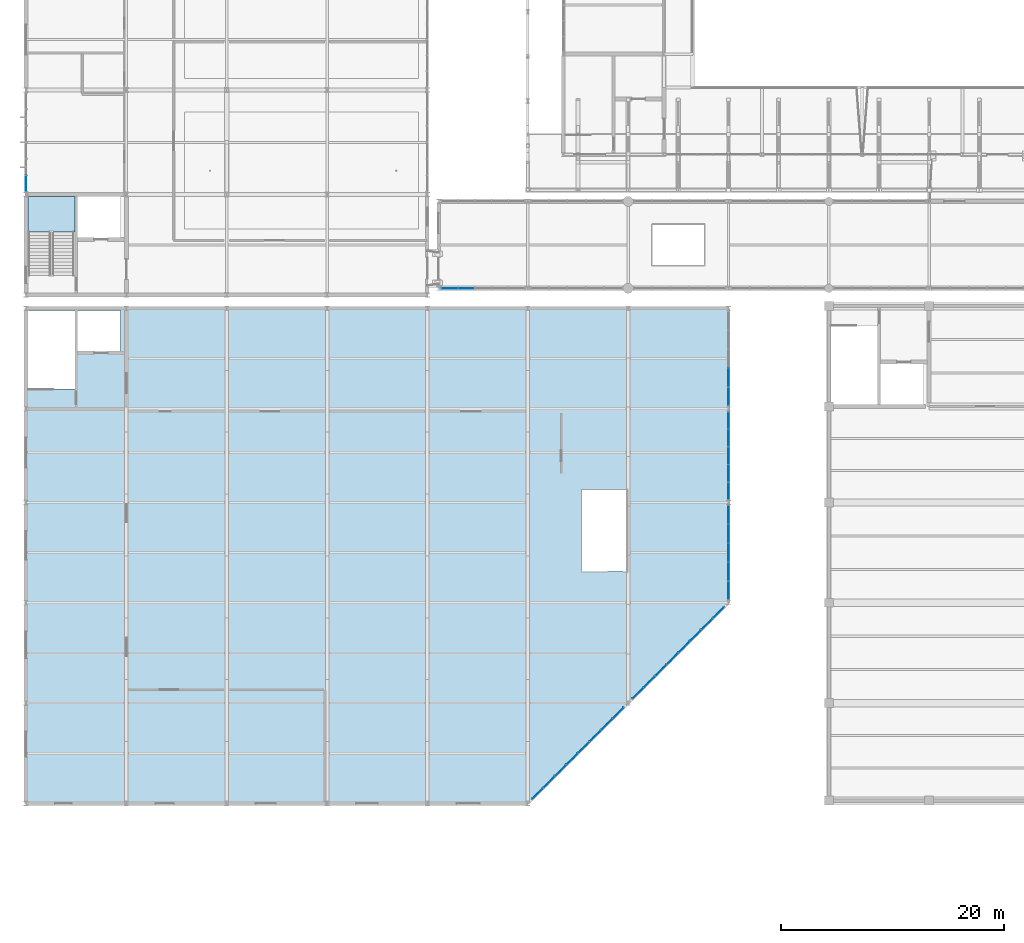
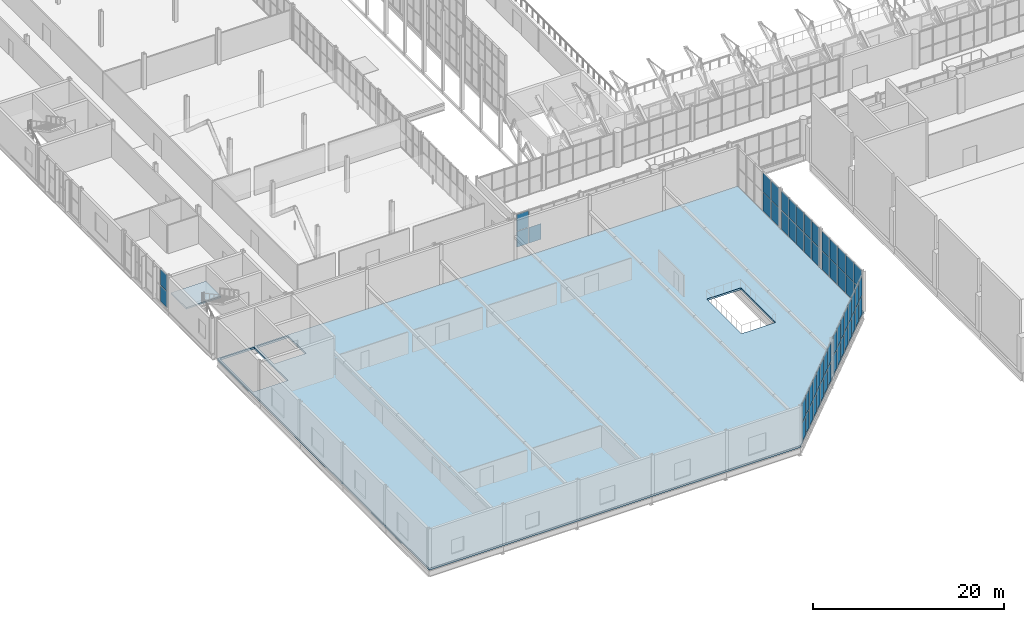
# One storey, part 90 of 134: 61 plates, 2 slabs, 8 elements without a shape of their own.
"""IFC4 building model written with IfcOpenShell, lengths in metres."""

from ifc_helpers import new_model, si_unit, direction, frame, origin, origin_2d, place, context, subcontext, project, spatial, polyline, rectangle, outline, extrude, material, layer, layer_set, type_object, element, aggregate, save


model = new_model("IFC4")

# Units and contexts
model_context = context("Model", 3, precision=1e-05, world=origin(), true_north=direction((0.0, 1.0)))
body_context = subcontext(model_context, "Body", "Model", "MODEL_VIEW")
ifc_project = project(units=[si_unit("LENGTHUNIT", "METRE"), si_unit("AREAUNIT", "SQUARE_METRE"), si_unit("VOLUMEUNIT", "CUBIC_METRE"), si_unit("PLANEANGLEUNIT", "RADIAN"), si_unit("MASSUNIT", "GRAM", prefix="KILO")], contexts=[model_context])

# Site, building, storey
site_placement = place(None, origin())
site = spatial("IfcSite", under=ifc_project, at=site_placement, CompositionType="ELEMENT")
building_placement = place(site_placement, origin())
building = spatial("IfcBuilding", under=site, at=building_placement, Name="Cazmaro Siding Exhibition Halls", CompositionType="ELEMENT")
storey_placement = place(building_placement, frame((0.0, 0.0, 12.0)))
storey = spatial("IfcBuildingStorey", under=building, at=storey_placement, Name="L02", CompositionType="ELEMENT", Elevation=12.0)

# Curtain wall, plates
ifc_material_1 = material(Name="Anodized Bronze Aluminum and Solar-Control Low-E Glazing", Category="aluminium")
ifc_layer_1 = layer(ifc_material_1, 0.199951171875)
ifc_layer_set_1 = layer_set([ifc_layer_1], Name="Anodized Bronze Aluminum and Solar-Control Low-E Glazing")
curtain_wall_type_1 = type_object("IfcCurtainWallType", Name="CWS-02", PredefinedType="USERDEFINED", material=ifc_layer_set_1)
curtain_wall_1_placement = place(storey_placement, origin())
curtain_wall_1 = element("IfcCurtainWall", 1, at=curtain_wall_1_placement, inside=storey, type_object=curtain_wall_type_1, Name="Glazed Curtain Wall CWS-02 CW-142", ObjectType="GLAZED CURTAIN WALL", PredefinedType="USERDEFINED")
ifc_material_2 = material(Name="Solar-Control Low-E Double Insulating Glass", Category="glass")
ifc_layer_2 = layer(ifc_material_2, 0.035888671875)
ifc_layer_set_2 = layer_set([ifc_layer_2], Name="Solar-Control Low-E Double Insulating Glass")
plate_type_1 = type_object("IfcPlateType", Name="CWP-02", PredefinedType="CURTAIN_PANEL", material=ifc_layer_set_2)
plate_1_placement = place(storey_placement, frame((38.000244140625, 55.199951171875, 0.06494140625), z_axis=(0.0, 0.0, 1.0), x_axis=(1.0, 0.0, 0.0)))
plate_1 = element("IfcPlate", 2, at=plate_1_placement, type_object=plate_type_1, Name="CWS-02 panel 1.1", PredefinedType="CURTAIN_PANEL", context=body_context, shape_type="SweptSolid", body=[
    extrude(rectangle(XDim=1.410400390625, YDim=0.035888671875, at=origin_2d()), origin(), (0.0, 0.0, 1.0), 2.00244140625),
])
plate_2_placement = place(storey_placement, frame((38.000244140625, 55.199951171875, 2.132568359375), z_axis=(0.0, 0.0, 1.0), x_axis=(1.0, 0.0, 0.0)))
plate_2 = element("IfcPlate", 3, at=plate_2_placement, type_object=plate_type_1, Name="CWS-02 panel 1.2", PredefinedType="CURTAIN_PANEL", context=body_context, shape_type="SweptSolid", body=[
    extrude(rectangle(XDim=1.410400390625, YDim=0.035888671875, at=origin_2d()), origin(), (0.0, 0.0, 1.0), 2.12744140625),
])
plate_3_placement = place(storey_placement, frame((39.491943359375, 55.199951171875, 0.06494140625), z_axis=(0.0, 0.0, 1.0), x_axis=(1.0, 0.0, 0.0)))
plate_3 = element("IfcPlate", 4, at=plate_3_placement, type_object=plate_type_1, Name="CWS-02 panel 2.1", PredefinedType="CURTAIN_PANEL", context=body_context, shape_type="SweptSolid", body=[
    extrude(rectangle(XDim=1.443115234375, YDim=0.035888671875, at=origin_2d()), origin(), (0.0, 0.0, 1.0), 2.00244140625),
])
aggregate(curtain_wall_1, [plate_1, plate_2, plate_3])

curtain_wall_2_placement = place(storey_placement, origin())
curtain_wall_2 = element("IfcCurtainWall", 5, at=curtain_wall_2_placement, inside=storey, type_object=curtain_wall_type_1, Name="Glazed Curtain Wall CWS-02 CW-218", ObjectType="GLAZED CURTAIN WALL", PredefinedType="USERDEFINED")
plate_4_placement = place(storey_placement, frame((63.0, 28.10107421875, 0.06494140625), z_axis=(0.0, 0.0, 1.0), x_axis=(0.0, 1.0, 0.0)))
plate_4 = element("IfcPlate", 6, at=plate_4_placement, type_object=plate_type_1, Name="CWS-02 panel 1.1", PredefinedType="CURTAIN_PANEL", context=body_context, shape_type="SweptSolid", body=[
    extrude(rectangle(XDim=1.610107421875, YDim=0.035888671875, at=origin_2d()), origin(), (0.0, 0.0, 1.0), 2.402587890625),
])
plate_5_placement = place(storey_placement, frame((63.0, 28.10107421875, 2.53271484375), z_axis=(0.0, 0.0, 1.0), x_axis=(0.0, 1.0, 0.0)))
plate_5 = element("IfcPlate", 7, at=plate_5_placement, type_object=plate_type_1, Name="CWS-02 panel 1.2", PredefinedType="CURTAIN_PANEL", context=body_context, shape_type="SweptSolid", body=[
    extrude(rectangle(XDim=1.610107421875, YDim=0.035888671875, at=origin_2d()), origin(), (0.0, 0.0, 1.0), 2.452392578125),
])
plate_6_placement = place(storey_placement, frame((63.0, 29.79248046875, 0.06494140625), z_axis=(0.0, 0.0, 1.0), x_axis=(0.0, 1.0, 0.0)))
plate_6 = element("IfcPlate", 8, at=plate_6_placement, type_object=plate_type_1, Name="CWS-02 panel 2.1", PredefinedType="CURTAIN_PANEL", context=body_context, shape_type="SweptSolid", body=[
    extrude(rectangle(XDim=1.642578125, YDim=0.035888671875, at=origin_2d()), origin(), (0.0, 0.0, 1.0), 2.402587890625),
])
plate_7_placement = place(storey_placement, frame((63.0, 29.79248046875, 2.53271484375), z_axis=(0.0, 0.0, 1.0), x_axis=(0.0, 1.0, 0.0)))
plate_7 = element("IfcPlate", 9, at=plate_7_placement, type_object=plate_type_1, Name="CWS-02 panel 2.2", PredefinedType="CURTAIN_PANEL", context=body_context, shape_type="SweptSolid", body=[
    extrude(rectangle(XDim=1.642578125, YDim=0.035888671875, at=origin_2d()), origin(), (0.0, 0.0, 1.0), 2.452392578125),
])
plate_8_placement = place(storey_placement, frame((63.0, 31.5, 0.06494140625), z_axis=(0.0, 0.0, 1.0), x_axis=(0.0, 1.0, 0.0)))
plate_8 = element("IfcPlate", 10, at=plate_8_placement, type_object=plate_type_1, Name="CWS-02 panel 3.1", PredefinedType="CURTAIN_PANEL", context=body_context, shape_type="SweptSolid", body=[
    extrude(rectangle(XDim=1.642578125, YDim=0.035888671875, at=origin_2d()), origin(), (0.0, 0.0, 1.0), 2.402587890625),
])
plate_9_placement = place(storey_placement, frame((63.0, 31.5, 2.53271484375), z_axis=(0.0, 0.0, 1.0), x_axis=(0.0, 1.0, 0.0)))
plate_9 = element("IfcPlate", 11, at=plate_9_placement, type_object=plate_type_1, Name="CWS-02 panel 3.2", PredefinedType="CURTAIN_PANEL", context=body_context, shape_type="SweptSolid", body=[
    extrude(rectangle(XDim=1.642578125, YDim=0.035888671875, at=origin_2d()), origin(), (0.0, 0.0, 1.0), 2.452392578125),
])
plate_10_placement = place(storey_placement, frame((63.0, 33.20751953125, 0.06494140625), z_axis=(0.0, 0.0, 1.0), x_axis=(0.0, 1.0, 0.0)))
plate_10 = element("IfcPlate", 12, at=plate_10_placement, type_object=plate_type_1, Name="CWS-02 panel 4.1", PredefinedType="CURTAIN_PANEL", context=body_context, shape_type="SweptSolid", body=[
    extrude(rectangle(XDim=1.642578125, YDim=0.035888671875, at=origin_2d()), origin(), (0.0, 0.0, 1.0), 2.402587890625),
])
plate_11_placement = place(storey_placement, frame((63.0, 33.20751953125, 2.53271484375), z_axis=(0.0, 0.0, 1.0), x_axis=(0.0, 1.0, 0.0)))
plate_11 = element("IfcPlate", 13, at=plate_11_placement, type_object=plate_type_1, Name="CWS-02 panel 4.2", PredefinedType="CURTAIN_PANEL", context=body_context, shape_type="SweptSolid", body=[
    extrude(rectangle(XDim=1.642578125, YDim=0.035888671875, at=origin_2d()), origin(), (0.0, 0.0, 1.0), 2.452392578125),
])
plate_12_placement = place(storey_placement, frame((63.0, 34.89892578125, 0.06494140625), z_axis=(0.0, 0.0, 1.0), x_axis=(0.0, 1.0, 0.0)))
plate_12 = element("IfcPlate", 14, at=plate_12_placement, type_object=plate_type_1, Name="CWS-02 panel 5.1", PredefinedType="CURTAIN_PANEL", context=body_context, shape_type="SweptSolid", body=[
    extrude(rectangle(XDim=1.610107421875, YDim=0.035888671875, at=origin_2d()), origin(), (0.0, 0.0, 1.0), 2.402587890625),
])
plate_13_placement = place(storey_placement, frame((63.0, 34.89892578125, 2.53271484375), z_axis=(0.0, 0.0, 1.0), x_axis=(0.0, 1.0, 0.0)))
plate_13 = element("IfcPlate", 15, at=plate_13_placement, type_object=plate_type_1, Name="CWS-02 panel 5.2", PredefinedType="CURTAIN_PANEL", context=body_context, shape_type="SweptSolid", body=[
    extrude(rectangle(XDim=1.610107421875, YDim=0.035888671875, at=origin_2d()), origin(), (0.0, 0.0, 1.0), 2.452392578125),
])
aggregate(curtain_wall_2, [plate_4, plate_5, plate_6, plate_7, plate_8, plate_9, plate_10, plate_11, plate_12, plate_13])

curtain_wall_3_placement = place(storey_placement, origin())
curtain_wall_3 = element("IfcCurtainWall", 16, at=curtain_wall_3_placement, inside=storey, type_object=curtain_wall_type_1, Name="Glazed Curtain Wall CWS-02 CW-220", ObjectType="GLAZED CURTAIN WALL", PredefinedType="USERDEFINED")
plate_14_placement = place(storey_placement, frame((63.0, 37.041015625, 0.06494140625), z_axis=(0.0, 0.0, 1.0), x_axis=(0.0, 1.0, 0.0)))
plate_14 = element("IfcPlate", 17, at=plate_14_placement, type_object=plate_type_1, Name="CWS-02 panel 1.1", PredefinedType="CURTAIN_PANEL", context=body_context, shape_type="SweptSolid", body=[
    extrude(rectangle(XDim=1.489990234375, YDim=0.035888671875, at=origin_2d()), origin(), (0.0, 0.0, 1.0), 2.402587890625),
])
plate_15_placement = place(storey_placement, frame((63.0, 37.041015625, 2.53271484375), z_axis=(0.0, 0.0, 1.0), x_axis=(0.0, 1.0, 0.0)))
plate_15 = element("IfcPlate", 18, at=plate_15_placement, type_object=plate_type_1, Name="CWS-02 panel 1.2", PredefinedType="CURTAIN_PANEL", context=body_context, shape_type="SweptSolid", body=[
    extrude(rectangle(XDim=1.489990234375, YDim=0.035888671875, at=origin_2d()), origin(), (0.0, 0.0, 1.0), 2.452392578125),
])
plate_16_placement = place(storey_placement, frame((63.0, 38.6123046875, 0.06494140625), z_axis=(0.0, 0.0, 1.0), x_axis=(0.0, 1.0, 0.0)))
plate_16 = element("IfcPlate", 19, at=plate_16_placement, type_object=plate_type_1, Name="CWS-02 panel 2.1", PredefinedType="CURTAIN_PANEL", context=body_context, shape_type="SweptSolid", body=[
    extrude(rectangle(XDim=1.522705078125, YDim=0.035888671875, at=origin_2d()), origin(), (0.0, 0.0, 1.0), 2.402587890625),
])
plate_17_placement = place(storey_placement, frame((63.0, 38.6123046875, 2.53271484375), z_axis=(0.0, 0.0, 1.0), x_axis=(0.0, 1.0, 0.0)))
plate_17 = element("IfcPlate", 20, at=plate_17_placement, type_object=plate_type_1, Name="CWS-02 panel 2.2", PredefinedType="CURTAIN_PANEL", context=body_context, shape_type="SweptSolid", body=[
    extrude(rectangle(XDim=1.522705078125, YDim=0.035888671875, at=origin_2d()), origin(), (0.0, 0.0, 1.0), 2.452392578125),
])
plate_18_placement = place(storey_placement, frame((63.0, 40.199951171875, 0.06494140625), z_axis=(0.0, 0.0, 1.0), x_axis=(0.0, 1.0, 0.0)))
plate_18 = element("IfcPlate", 21, at=plate_18_placement, type_object=plate_type_1, Name="CWS-02 panel 3.1", PredefinedType="CURTAIN_PANEL", context=body_context, shape_type="SweptSolid", body=[
    extrude(rectangle(XDim=1.522705078125, YDim=0.035888671875, at=origin_2d()), origin(), (0.0, 0.0, 1.0), 2.402587890625),
])
plate_19_placement = place(storey_placement, frame((63.0, 40.199951171875, 2.53271484375), z_axis=(0.0, 0.0, 1.0), x_axis=(0.0, 1.0, 0.0)))
plate_19 = element("IfcPlate", 22, at=plate_19_placement, type_object=plate_type_1, Name="CWS-02 panel 3.2", PredefinedType="CURTAIN_PANEL", context=body_context, shape_type="SweptSolid", body=[
    extrude(rectangle(XDim=1.522705078125, YDim=0.035888671875, at=origin_2d()), origin(), (0.0, 0.0, 1.0), 2.452392578125),
])
plate_20_placement = place(storey_placement, frame((63.0, 41.78759765625, 0.06494140625), z_axis=(0.0, 0.0, 1.0), x_axis=(0.0, 1.0, 0.0)))
plate_20 = element("IfcPlate", 23, at=plate_20_placement, type_object=plate_type_1, Name="CWS-02 panel 4.1", PredefinedType="CURTAIN_PANEL", context=body_context, shape_type="SweptSolid", body=[
    extrude(rectangle(XDim=1.522705078125, YDim=0.035888671875, at=origin_2d()), origin(), (0.0, 0.0, 1.0), 2.402587890625),
])
plate_21_placement = place(storey_placement, frame((63.0, 41.78759765625, 2.53271484375), z_axis=(0.0, 0.0, 1.0), x_axis=(0.0, 1.0, 0.0)))
plate_21 = element("IfcPlate", 24, at=plate_21_placement, type_object=plate_type_1, Name="CWS-02 panel 4.2", PredefinedType="CURTAIN_PANEL", context=body_context, shape_type="SweptSolid", body=[
    extrude(rectangle(XDim=1.522705078125, YDim=0.035888671875, at=origin_2d()), origin(), (0.0, 0.0, 1.0), 2.452392578125),
])
plate_22_placement = place(storey_placement, frame((63.0, 43.35888671875, 0.06494140625), z_axis=(0.0, 0.0, 1.0), x_axis=(0.0, 1.0, 0.0)))
plate_22 = element("IfcPlate", 25, at=plate_22_placement, type_object=plate_type_1, Name="CWS-02 panel 5.1", PredefinedType="CURTAIN_PANEL", context=body_context, shape_type="SweptSolid", body=[
    extrude(rectangle(XDim=1.489990234375, YDim=0.035888671875, at=origin_2d()), origin(), (0.0, 0.0, 1.0), 2.402587890625),
])
plate_23_placement = place(storey_placement, frame((63.0, 43.35888671875, 2.53271484375), z_axis=(0.0, 0.0, 1.0), x_axis=(0.0, 1.0, 0.0)))
plate_23 = element("IfcPlate", 26, at=plate_23_placement, type_object=plate_type_1, Name="CWS-02 panel 5.2", PredefinedType="CURTAIN_PANEL", context=body_context, shape_type="SweptSolid", body=[
    extrude(rectangle(XDim=1.489990234375, YDim=0.035888671875, at=origin_2d()), origin(), (0.0, 0.0, 1.0), 2.452392578125),
])
aggregate(curtain_wall_3, [plate_14, plate_15, plate_16, plate_17, plate_18, plate_19, plate_20, plate_21, plate_22, plate_23])

curtain_wall_4_placement = place(storey_placement, origin())
curtain_wall_4 = element("IfcCurtainWall", 27, at=curtain_wall_4_placement, inside=storey, type_object=curtain_wall_type_1, Name="Glazed Curtain Wall CWS-02 CW-222", ObjectType="GLAZED CURTAIN WALL", PredefinedType="USERDEFINED")
plate_24_placement = place(storey_placement, frame((63.0, 45.5009765625, 0.06494140625), z_axis=(0.0, 0.0, 1.0), x_axis=(0.0, 1.0, 0.0)))
plate_24 = element("IfcPlate", 28, at=plate_24_placement, type_object=plate_type_1, Name="CWS-02 panel 1.1", PredefinedType="CURTAIN_PANEL", context=body_context, shape_type="SweptSolid", body=[
    extrude(rectangle(XDim=1.610107421875, YDim=0.035888671875, at=origin_2d()), origin(), (0.0, 0.0, 1.0), 2.402587890625),
])
plate_25_placement = place(storey_placement, frame((63.0, 45.5009765625, 2.53271484375), z_axis=(0.0, 0.0, 1.0), x_axis=(0.0, 1.0, 0.0)))
plate_25 = element("IfcPlate", 29, at=plate_25_placement, type_object=plate_type_1, Name="CWS-02 panel 1.2", PredefinedType="CURTAIN_PANEL", context=body_context, shape_type="SweptSolid", body=[
    extrude(rectangle(XDim=1.610107421875, YDim=0.035888671875, at=origin_2d()), origin(), (0.0, 0.0, 1.0), 2.452392578125),
])
plate_26_placement = place(storey_placement, frame((63.0, 47.1923828125, 0.06494140625), z_axis=(0.0, 0.0, 1.0), x_axis=(0.0, 1.0, 0.0)))
plate_26 = element("IfcPlate", 30, at=plate_26_placement, type_object=plate_type_1, Name="CWS-02 panel 2.1", PredefinedType="CURTAIN_PANEL", context=body_context, shape_type="SweptSolid", body=[
    extrude(rectangle(XDim=1.642578125, YDim=0.035888671875, at=origin_2d()), origin(), (0.0, 0.0, 1.0), 2.402587890625),
])
plate_27_placement = place(storey_placement, frame((63.0, 47.1923828125, 2.53271484375), z_axis=(0.0, 0.0, 1.0), x_axis=(0.0, 1.0, 0.0)))
plate_27 = element("IfcPlate", 31, at=plate_27_placement, type_object=plate_type_1, Name="CWS-02 panel 2.2", PredefinedType="CURTAIN_PANEL", context=body_context, shape_type="SweptSolid", body=[
    extrude(rectangle(XDim=1.642578125, YDim=0.035888671875, at=origin_2d()), origin(), (0.0, 0.0, 1.0), 2.452392578125),
])
aggregate(curtain_wall_4, [plate_24, plate_25, plate_26, plate_27])

curtain_wall_5_placement = place(storey_placement, origin())
curtain_wall_5 = element("IfcCurtainWall", 32, at=curtain_wall_5_placement, inside=storey, type_object=curtain_wall_type_1, Name="Glazed Curtain Wall CWS-02 CW-236", ObjectType="GLAZED CURTAIN WALL", PredefinedType="USERDEFINED")
plate_28_placement = place(storey_placement, frame((0.0, 64.603759765625, 0.06494140625), z_axis=(0.0, 0.0, 1.0), x_axis=(0.0, -1.0, 0.0)))
plate_28 = element("IfcPlate", 33, at=plate_28_placement, type_object=plate_type_1, Name="CWS-02 panel 6.1", PredefinedType="CURTAIN_PANEL", context=body_context, shape_type="SweptSolid", body=[
    extrude(rectangle(XDim=1.387451171875, YDim=0.035888671875, at=origin_2d()), origin(), (0.0, 0.0, 1.0), 2.04248046875),
])
plate_29_placement = place(storey_placement, frame((0.0, 64.603759765625, 2.172607421875), z_axis=(0.0, 0.0, 1.0), x_axis=(0.0, -1.0, 0.0)))
plate_29 = element("IfcPlate", 34, at=plate_29_placement, type_object=plate_type_1, Name="CWS-02 panel 6.2", PredefinedType="CURTAIN_PANEL", context=body_context, shape_type="SweptSolid", body=[
    extrude(rectangle(XDim=1.387451171875, YDim=0.035888671875, at=origin_2d()), origin(), (0.0, 0.0, 1.0), 2.04248046875),
])
aggregate(curtain_wall_5, [plate_28, plate_29])

ifc_material_3 = material(Name="Anodized Bronze Aluminum and Solar-Control Low-E Glazing", Category="aluminium")
ifc_layer_3 = layer(ifc_material_3, 0.219970703125)
ifc_layer_set_3 = layer_set([ifc_layer_3], Name="Anodized Bronze Aluminum and Solar-Control Low-E Glazing")
curtain_wall_type_2 = type_object("IfcCurtainWallType", Name="CWS-03", PredefinedType="USERDEFINED", material=ifc_layer_set_3)
curtain_wall_6_placement = place(storey_placement, origin())
curtain_wall_6 = element("IfcCurtainWall", 35, at=curtain_wall_6_placement, inside=storey, type_object=curtain_wall_type_2, Name="Glazed Curtain Wall CWS-03 CW-213", ObjectType="GLAZED CURTAIN WALL", PredefinedType="USERDEFINED")
ifc_material_4 = material(Name="Solar-Control Low-E Double Insulating Glass", Category="glass")
ifc_layer_4 = layer(ifc_material_4, 0.0458984375)
ifc_layer_set_4 = layer_set([ifc_layer_4], Name="Solar-Control Low-E Double Insulating Glass")
plate_type_2 = type_object("IfcPlateType", Name="CWP-03", PredefinedType="CURTAIN_PANEL", material=ifc_layer_set_4)
plate_30_placement = place(storey_placement, frame((45.881103515625, 9.881103515625, 0.070068359375), z_axis=(0.0, 0.0, 1.0), x_axis=(0.707106781187, 0.707106781187, 0.0)))
plate_30 = element("IfcPlate", 36, at=plate_30_placement, type_object=plate_type_2, Name="CWS-03 panel 1.1", PredefinedType="CURTAIN_PANEL", context=body_context, shape_type="SweptSolid", body=[
    extrude(rectangle(XDim=1.3623046875, YDim=0.0458984375, at=origin_2d()), origin(), (0.0, 0.0, 1.0), 2.39501953125),
])
plate_31_placement = place(storey_placement, frame((45.881103515625, 9.881103515625, 2.53515625), z_axis=(0.0, 0.0, 1.0), x_axis=(0.707106781187, 0.707106781187, 0.0)))
plate_31 = element("IfcPlate", 37, at=plate_31_placement, type_object=plate_type_2, Name="CWS-03 panel 1.2", PredefinedType="CURTAIN_PANEL", context=body_context, shape_type="SweptSolid", body=[
    extrude(rectangle(XDim=1.3623046875, YDim=0.0458984375, at=origin_2d()), origin(), (0.0, 0.0, 1.0), 2.445068359375),
])
plate_32_placement = place(storey_placement, frame((46.90625, 10.90625, 0.070068359375), z_axis=(0.0, 0.0, 1.0), x_axis=(0.707106781187, 0.707106781187, 0.0)))
plate_32 = element("IfcPlate", 38, at=plate_32_placement, type_object=plate_type_2, Name="CWS-03 panel 2.1", PredefinedType="CURTAIN_PANEL", context=body_context, shape_type="SweptSolid", body=[
    extrude(rectangle(XDim=1.397216796875, YDim=0.0458984375, at=origin_2d()), origin(), (0.0, 0.0, 1.0), 2.39501953125),
])
plate_33_placement = place(storey_placement, frame((46.90625, 10.90625, 2.53515625), z_axis=(0.0, 0.0, 1.0), x_axis=(0.707106781187, 0.707106781187, 0.0)))
plate_33 = element("IfcPlate", 39, at=plate_33_placement, type_object=plate_type_2, Name="CWS-03 panel 2.2", PredefinedType="CURTAIN_PANEL", context=body_context, shape_type="SweptSolid", body=[
    extrude(rectangle(XDim=1.397216796875, YDim=0.0458984375, at=origin_2d()), origin(), (0.0, 0.0, 1.0), 2.445068359375),
])
plate_34_placement = place(storey_placement, frame((47.94384765625, 11.94384765625, 0.070068359375), z_axis=(0.0, 0.0, 1.0), x_axis=(0.707106781187, 0.707106781187, 0.0)))
plate_34 = element("IfcPlate", 40, at=plate_34_placement, type_object=plate_type_2, Name="CWS-03 panel 3.1", PredefinedType="CURTAIN_PANEL", context=body_context, shape_type="SweptSolid", body=[
    extrude(rectangle(XDim=1.397216796875, YDim=0.0458984375, at=origin_2d()), origin(), (0.0, 0.0, 1.0), 2.39501953125),
])
plate_35_placement = place(storey_placement, frame((47.94384765625, 11.94384765625, 2.53515625), z_axis=(0.0, 0.0, 1.0), x_axis=(0.707106781187, 0.707106781187, 0.0)))
plate_35 = element("IfcPlate", 41, at=plate_35_placement, type_object=plate_type_2, Name="CWS-03 panel 3.2", PredefinedType="CURTAIN_PANEL", context=body_context, shape_type="SweptSolid", body=[
    extrude(rectangle(XDim=1.397216796875, YDim=0.0458984375, at=origin_2d()), origin(), (0.0, 0.0, 1.0), 2.445068359375),
])
plate_36_placement = place(storey_placement, frame((48.981201171875, 12.981201171875, 0.070068359375), z_axis=(0.0, 0.0, 1.0), x_axis=(0.707106781187, 0.707106781187, 0.0)))
plate_36 = element("IfcPlate", 42, at=plate_36_placement, type_object=plate_type_2, Name="CWS-03 panel 4.1", PredefinedType="CURTAIN_PANEL", context=body_context, shape_type="SweptSolid", body=[
    extrude(rectangle(XDim=1.397216796875, YDim=0.0458984375, at=origin_2d()), origin(), (0.0, 0.0, 1.0), 2.39501953125),
])
plate_37_placement = place(storey_placement, frame((48.981201171875, 12.981201171875, 2.53515625), z_axis=(0.0, 0.0, 1.0), x_axis=(0.707106781187, 0.707106781187, 0.0)))
plate_37 = element("IfcPlate", 43, at=plate_37_placement, type_object=plate_type_2, Name="CWS-03 panel 4.2", PredefinedType="CURTAIN_PANEL", context=body_context, shape_type="SweptSolid", body=[
    extrude(rectangle(XDim=1.397216796875, YDim=0.0458984375, at=origin_2d()), origin(), (0.0, 0.0, 1.0), 2.445068359375),
])
plate_38_placement = place(storey_placement, frame((50.018798828125, 14.018798828125, 0.070068359375), z_axis=(0.0, 0.0, 1.0), x_axis=(0.707106781187, 0.707106781187, 0.0)))
plate_38 = element("IfcPlate", 44, at=plate_38_placement, type_object=plate_type_2, Name="CWS-03 panel 5.1", PredefinedType="CURTAIN_PANEL", context=body_context, shape_type="SweptSolid", body=[
    extrude(rectangle(XDim=1.397216796875, YDim=0.0458984375, at=origin_2d()), origin(), (0.0, 0.0, 1.0), 2.39501953125),
])
plate_39_placement = place(storey_placement, frame((50.018798828125, 14.018798828125, 2.53515625), z_axis=(0.0, 0.0, 1.0), x_axis=(0.707106781187, 0.707106781187, 0.0)))
plate_39 = element("IfcPlate", 45, at=plate_39_placement, type_object=plate_type_2, Name="CWS-03 panel 5.2", PredefinedType="CURTAIN_PANEL", context=body_context, shape_type="SweptSolid", body=[
    extrude(rectangle(XDim=1.397216796875, YDim=0.0458984375, at=origin_2d()), origin(), (0.0, 0.0, 1.0), 2.445068359375),
])
plate_40_placement = place(storey_placement, frame((51.05615234375, 15.05615234375, 0.070068359375), z_axis=(0.0, 0.0, 1.0), x_axis=(0.707106781187, 0.707106781187, 0.0)))
plate_40 = element("IfcPlate", 46, at=plate_40_placement, type_object=plate_type_2, Name="CWS-03 panel 6.1", PredefinedType="CURTAIN_PANEL", context=body_context, shape_type="SweptSolid", body=[
    extrude(rectangle(XDim=1.397216796875, YDim=0.0458984375, at=origin_2d()), origin(), (0.0, 0.0, 1.0), 2.39501953125),
])
plate_41_placement = place(storey_placement, frame((51.05615234375, 15.05615234375, 2.53515625), z_axis=(0.0, 0.0, 1.0), x_axis=(0.707106781187, 0.707106781187, 0.0)))
plate_41 = element("IfcPlate", 47, at=plate_41_placement, type_object=plate_type_2, Name="CWS-03 panel 6.2", PredefinedType="CURTAIN_PANEL", context=body_context, shape_type="SweptSolid", body=[
    extrude(rectangle(XDim=1.397216796875, YDim=0.0458984375, at=origin_2d()), origin(), (0.0, 0.0, 1.0), 2.445068359375),
])
plate_42_placement = place(storey_placement, frame((52.09375, 16.09375, 0.070068359375), z_axis=(0.0, 0.0, 1.0), x_axis=(0.707106781187, 0.707106781187, 0.0)))
plate_42 = element("IfcPlate", 48, at=plate_42_placement, type_object=plate_type_2, Name="CWS-03 panel 7.1", PredefinedType="CURTAIN_PANEL", context=body_context, shape_type="SweptSolid", body=[
    extrude(rectangle(XDim=1.397216796875, YDim=0.0458984375, at=origin_2d()), origin(), (0.0, 0.0, 1.0), 2.39501953125),
])
plate_43_placement = place(storey_placement, frame((52.09375, 16.09375, 2.53515625), z_axis=(0.0, 0.0, 1.0), x_axis=(0.707106781187, 0.707106781187, 0.0)))
plate_43 = element("IfcPlate", 49, at=plate_43_placement, type_object=plate_type_2, Name="CWS-03 panel 7.2", PredefinedType="CURTAIN_PANEL", context=body_context, shape_type="SweptSolid", body=[
    extrude(rectangle(XDim=1.397216796875, YDim=0.0458984375, at=origin_2d()), origin(), (0.0, 0.0, 1.0), 2.445068359375),
])
plate_44_placement = place(storey_placement, frame((53.118896484375, 17.118896484375, 0.070068359375), z_axis=(0.0, 0.0, 1.0), x_axis=(0.707106781187, 0.707106781187, 0.0)))
plate_44 = element("IfcPlate", 50, at=plate_44_placement, type_object=plate_type_2, Name="CWS-03 panel 8.1", PredefinedType="CURTAIN_PANEL", context=body_context, shape_type="SweptSolid", body=[
    extrude(rectangle(XDim=1.3623046875, YDim=0.0458984375, at=origin_2d()), origin(), (0.0, 0.0, 1.0), 2.39501953125),
])
plate_45_placement = place(storey_placement, frame((53.118896484375, 17.118896484375, 2.53515625), z_axis=(0.0, 0.0, 1.0), x_axis=(0.707106781187, 0.707106781187, 0.0)))
plate_45 = element("IfcPlate", 51, at=plate_45_placement, type_object=plate_type_2, Name="CWS-03 panel 8.2", PredefinedType="CURTAIN_PANEL", context=body_context, shape_type="SweptSolid", body=[
    extrude(rectangle(XDim=1.3623046875, YDim=0.0458984375, at=origin_2d()), origin(), (0.0, 0.0, 1.0), 2.445068359375),
])
aggregate(curtain_wall_6, [plate_30, plate_31, plate_32, plate_33, plate_34, plate_35, plate_36, plate_37, plate_38, plate_39, plate_40, plate_41, plate_42, plate_43, plate_44, plate_45])

curtain_wall_7_placement = place(storey_placement, origin())
curtain_wall_7 = element("IfcCurtainWall", 52, at=curtain_wall_7_placement, inside=storey, type_object=curtain_wall_type_2, Name="Glazed Curtain Wall CWS-03 CW-216", ObjectType="GLAZED CURTAIN WALL", PredefinedType="USERDEFINED")
plate_46_placement = place(storey_placement, frame((54.881103515625, 18.881103515625, 0.070068359375), z_axis=(0.0, 0.0, 1.0), x_axis=(0.707106781187, 0.707106781187, 0.0)))
plate_46 = element("IfcPlate", 53, at=plate_46_placement, type_object=plate_type_2, Name="CWS-03 panel 1.1", PredefinedType="CURTAIN_PANEL", context=body_context, shape_type="SweptSolid", body=[
    extrude(rectangle(XDim=1.3623046875, YDim=0.0458984375, at=origin_2d()), origin(), (0.0, 0.0, 1.0), 2.39501953125),
])
plate_47_placement = place(storey_placement, frame((54.881103515625, 18.881103515625, 2.53515625), z_axis=(0.0, 0.0, 1.0), x_axis=(0.707106781187, 0.707106781187, 0.0)))
plate_47 = element("IfcPlate", 54, at=plate_47_placement, type_object=plate_type_2, Name="CWS-03 panel 1.2", PredefinedType="CURTAIN_PANEL", context=body_context, shape_type="SweptSolid", body=[
    extrude(rectangle(XDim=1.3623046875, YDim=0.0458984375, at=origin_2d()), origin(), (0.0, 0.0, 1.0), 2.445068359375),
])
plate_48_placement = place(storey_placement, frame((55.90625, 19.90625, 0.070068359375), z_axis=(0.0, 0.0, 1.0), x_axis=(0.707106781187, 0.707106781187, 0.0)))
plate_48 = element("IfcPlate", 55, at=plate_48_placement, type_object=plate_type_2, Name="CWS-03 panel 2.1", PredefinedType="CURTAIN_PANEL", context=body_context, shape_type="SweptSolid", body=[
    extrude(rectangle(XDim=1.397216796875, YDim=0.0458984375, at=origin_2d()), origin(), (0.0, 0.0, 1.0), 2.39501953125),
])
plate_49_placement = place(storey_placement, frame((55.90625, 19.90625, 2.53515625), z_axis=(0.0, 0.0, 1.0), x_axis=(0.707106781187, 0.707106781187, 0.0)))
plate_49 = element("IfcPlate", 56, at=plate_49_placement, type_object=plate_type_2, Name="CWS-03 panel 2.2", PredefinedType="CURTAIN_PANEL", context=body_context, shape_type="SweptSolid", body=[
    extrude(rectangle(XDim=1.397216796875, YDim=0.0458984375, at=origin_2d()), origin(), (0.0, 0.0, 1.0), 2.445068359375),
])
plate_50_placement = place(storey_placement, frame((56.94384765625, 20.94384765625, 0.070068359375), z_axis=(0.0, 0.0, 1.0), x_axis=(0.707106781187, 0.707106781187, 0.0)))
plate_50 = element("IfcPlate", 57, at=plate_50_placement, type_object=plate_type_2, Name="CWS-03 panel 3.1", PredefinedType="CURTAIN_PANEL", context=body_context, shape_type="SweptSolid", body=[
    extrude(rectangle(XDim=1.397216796875, YDim=0.0458984375, at=origin_2d()), origin(), (0.0, 0.0, 1.0), 2.39501953125),
])
plate_51_placement = place(storey_placement, frame((56.94384765625, 20.94384765625, 2.53515625), z_axis=(0.0, 0.0, 1.0), x_axis=(0.707106781187, 0.707106781187, 0.0)))
plate_51 = element("IfcPlate", 58, at=plate_51_placement, type_object=plate_type_2, Name="CWS-03 panel 3.2", PredefinedType="CURTAIN_PANEL", context=body_context, shape_type="SweptSolid", body=[
    extrude(rectangle(XDim=1.397216796875, YDim=0.0458984375, at=origin_2d()), origin(), (0.0, 0.0, 1.0), 2.445068359375),
])
plate_52_placement = place(storey_placement, frame((57.981201171875, 21.981201171875, 0.070068359375), z_axis=(0.0, 0.0, 1.0), x_axis=(0.707106781187, 0.707106781187, 0.0)))
plate_52 = element("IfcPlate", 59, at=plate_52_placement, type_object=plate_type_2, Name="CWS-03 panel 4.1", PredefinedType="CURTAIN_PANEL", context=body_context, shape_type="SweptSolid", body=[
    extrude(rectangle(XDim=1.397216796875, YDim=0.0458984375, at=origin_2d()), origin(), (0.0, 0.0, 1.0), 2.39501953125),
])
plate_53_placement = place(storey_placement, frame((57.981201171875, 21.981201171875, 2.53515625), z_axis=(0.0, 0.0, 1.0), x_axis=(0.707106781187, 0.707106781187, 0.0)))
plate_53 = element("IfcPlate", 60, at=plate_53_placement, type_object=plate_type_2, Name="CWS-03 panel 4.2", PredefinedType="CURTAIN_PANEL", context=body_context, shape_type="SweptSolid", body=[
    extrude(rectangle(XDim=1.397216796875, YDim=0.0458984375, at=origin_2d()), origin(), (0.0, 0.0, 1.0), 2.445068359375),
])
plate_54_placement = place(storey_placement, frame((59.018798828125, 23.018798828125, 0.070068359375), z_axis=(0.0, 0.0, 1.0), x_axis=(0.707106781187, 0.707106781187, 0.0)))
plate_54 = element("IfcPlate", 61, at=plate_54_placement, type_object=plate_type_2, Name="CWS-03 panel 5.1", PredefinedType="CURTAIN_PANEL", context=body_context, shape_type="SweptSolid", body=[
    extrude(rectangle(XDim=1.397216796875, YDim=0.0458984375, at=origin_2d()), origin(), (0.0, 0.0, 1.0), 2.39501953125),
])
plate_55_placement = place(storey_placement, frame((59.018798828125, 23.018798828125, 2.53515625), z_axis=(0.0, 0.0, 1.0), x_axis=(0.707106781187, 0.707106781187, 0.0)))
plate_55 = element("IfcPlate", 62, at=plate_55_placement, type_object=plate_type_2, Name="CWS-03 panel 5.2", PredefinedType="CURTAIN_PANEL", context=body_context, shape_type="SweptSolid", body=[
    extrude(rectangle(XDim=1.397216796875, YDim=0.0458984375, at=origin_2d()), origin(), (0.0, 0.0, 1.0), 2.445068359375),
])
plate_56_placement = place(storey_placement, frame((60.05615234375, 24.05615234375, 0.070068359375), z_axis=(0.0, 0.0, 1.0), x_axis=(0.707106781187, 0.707106781187, 0.0)))
plate_56 = element("IfcPlate", 63, at=plate_56_placement, type_object=plate_type_2, Name="CWS-03 panel 6.1", PredefinedType="CURTAIN_PANEL", context=body_context, shape_type="SweptSolid", body=[
    extrude(rectangle(XDim=1.397216796875, YDim=0.0458984375, at=origin_2d()), origin(), (0.0, 0.0, 1.0), 2.39501953125),
])
plate_57_placement = place(storey_placement, frame((60.05615234375, 24.05615234375, 2.53515625), z_axis=(0.0, 0.0, 1.0), x_axis=(0.707106781187, 0.707106781187, 0.0)))
plate_57 = element("IfcPlate", 64, at=plate_57_placement, type_object=plate_type_2, Name="CWS-03 panel 6.2", PredefinedType="CURTAIN_PANEL", context=body_context, shape_type="SweptSolid", body=[
    extrude(rectangle(XDim=1.397216796875, YDim=0.0458984375, at=origin_2d()), origin(), (0.0, 0.0, 1.0), 2.445068359375),
])
plate_58_placement = place(storey_placement, frame((61.09375, 25.09375, 0.070068359375), z_axis=(0.0, 0.0, 1.0), x_axis=(0.707106781187, 0.707106781187, 0.0)))
plate_58 = element("IfcPlate", 65, at=plate_58_placement, type_object=plate_type_2, Name="CWS-03 panel 7.1", PredefinedType="CURTAIN_PANEL", context=body_context, shape_type="SweptSolid", body=[
    extrude(rectangle(XDim=1.397216796875, YDim=0.0458984375, at=origin_2d()), origin(), (0.0, 0.0, 1.0), 2.39501953125),
])
plate_59_placement = place(storey_placement, frame((61.09375, 25.09375, 2.53515625), z_axis=(0.0, 0.0, 1.0), x_axis=(0.707106781187, 0.707106781187, 0.0)))
plate_59 = element("IfcPlate", 66, at=plate_59_placement, type_object=plate_type_2, Name="CWS-03 panel 7.2", PredefinedType="CURTAIN_PANEL", context=body_context, shape_type="SweptSolid", body=[
    extrude(rectangle(XDim=1.397216796875, YDim=0.0458984375, at=origin_2d()), origin(), (0.0, 0.0, 1.0), 2.445068359375),
])
plate_60_placement = place(storey_placement, frame((62.118896484375, 26.118896484375, 0.070068359375), z_axis=(0.0, 0.0, 1.0), x_axis=(0.707106781187, 0.707106781187, 0.0)))
plate_60 = element("IfcPlate", 67, at=plate_60_placement, type_object=plate_type_2, Name="CWS-03 panel 8.1", PredefinedType="CURTAIN_PANEL", context=body_context, shape_type="SweptSolid", body=[
    extrude(rectangle(XDim=1.3623046875, YDim=0.0458984375, at=origin_2d()), origin(), (0.0, 0.0, 1.0), 2.39501953125),
])
plate_61_placement = place(storey_placement, frame((62.118896484375, 26.118896484375, 2.53515625), z_axis=(0.0, 0.0, 1.0), x_axis=(0.707106781187, 0.707106781187, 0.0)))
plate_61 = element("IfcPlate", 68, at=plate_61_placement, type_object=plate_type_2, Name="CWS-03 panel 8.2", PredefinedType="CURTAIN_PANEL", context=body_context, shape_type="SweptSolid", body=[
    extrude(rectangle(XDim=1.3623046875, YDim=0.0458984375, at=origin_2d()), origin(), (0.0, 0.0, 1.0), 2.445068359375),
])
aggregate(curtain_wall_7, [plate_46, plate_47, plate_48, plate_49, plate_50, plate_51, plate_52, plate_53, plate_54, plate_55, plate_56, plate_57, plate_58, plate_59, plate_60, plate_61])

# Slab
ifc_material_5 = material(Name="Concrete f'c 35 MPa", Category="concrete")
ifc_layer_5 = layer(ifc_material_5, 0.25)
ifc_layer_set_5 = layer_set([ifc_layer_5], Name="Concrete f'c 35 MPa")
slab_type_1 = type_object("IfcSlabType", Name="FS-02", PredefinedType="FLOOR", material=ifc_layer_set_5)
slab_1_placement = place(storey_placement, frame((0.0, 0.0, -0.25)))
element("IfcSlab", 69, at=slab_1_placement, inside=storey, type_object=slab_type_1, Name="Congress Banquet Hall Slab L02 FS-02 SLB-0035", PredefinedType="FLOOR", context=body_context, shape_type="SweptSolid", body=[
    extrude(outline(polyline([(0.0, 9.0), (45.0, 9.0), (63.0, 27.0), (63.0, 53.39990234375), (0.0, 53.39990234375), (0.0, 9.0)]), holes=[polyline([(0.179931640625, 46.179931640625), (4.375, 46.179931640625), (4.375, 53.219970703125), (0.179931640625, 53.219970703125), (0.179931640625, 46.179931640625)]), polyline([(4.625, 49.52001953125), (8.47998046875, 49.52001953125), (8.47998046875, 53.219970703125), (4.625, 53.219970703125), (4.625, 49.52001953125)]), polyline([(49.85009765625, 29.800048828125), (54.0, 29.800048828125), (54.0, 37.10009765625), (49.85009765625, 37.10009765625), (49.85009765625, 29.800048828125)])]), origin(), (0.0, 0.0, 1.0), 0.25),
])

# Stair, slab
ifc_material_6 = material(Name="Concrete f'c 40 MPa", Category="concrete")
stair_type = type_object("IfcStairType", Name="STT-15", PredefinedType="TWO_STRAIGHT_RUN_STAIR", material=ifc_material_6)
stair_placement = place(storey_placement, origin())
stair = element("IfcStair", 70, at=stair_placement, inside=storey, type_object=stair_type, Name="Core C7 Exit Stair L02-L03 ST-15", PredefinedType="TWO_STRAIGHT_RUN_STAIR")
ifc_material_7 = material(Name="Concrete f'c 40 MPa", Category="concrete")
ifc_layer_6 = layer(ifc_material_7, 0.199951171875)
ifc_layer_set_6 = layer_set([ifc_layer_6], Name="Concrete f'c 40 MPa")
slab_type_2 = type_object("IfcSlabType", Name="LND-15", PredefinedType="LANDING", material=ifc_layer_set_6)
slab_2_placement = place(storey_placement, frame((0.0, 0.0, 2.050048828125)))
slab_2 = element("IfcSlab", 71, at=slab_2_placement, type_object=slab_type_2, Name="ST-15 landing 1", PredefinedType="LANDING", context=body_context, shape_type="SweptSolid", body=[
    extrude(outline(polyline([(0.175048828125, 60.239990234375), (4.3798828125, 60.239990234375), (4.3798828125, 63.425048828125), (0.175048828125, 63.425048828125), (0.175048828125, 60.239990234375)])), origin(), (0.0, 0.0, 1.0), 0.199951171875),
])
aggregate(stair, [slab_2])

save(model, "model.ifc")
